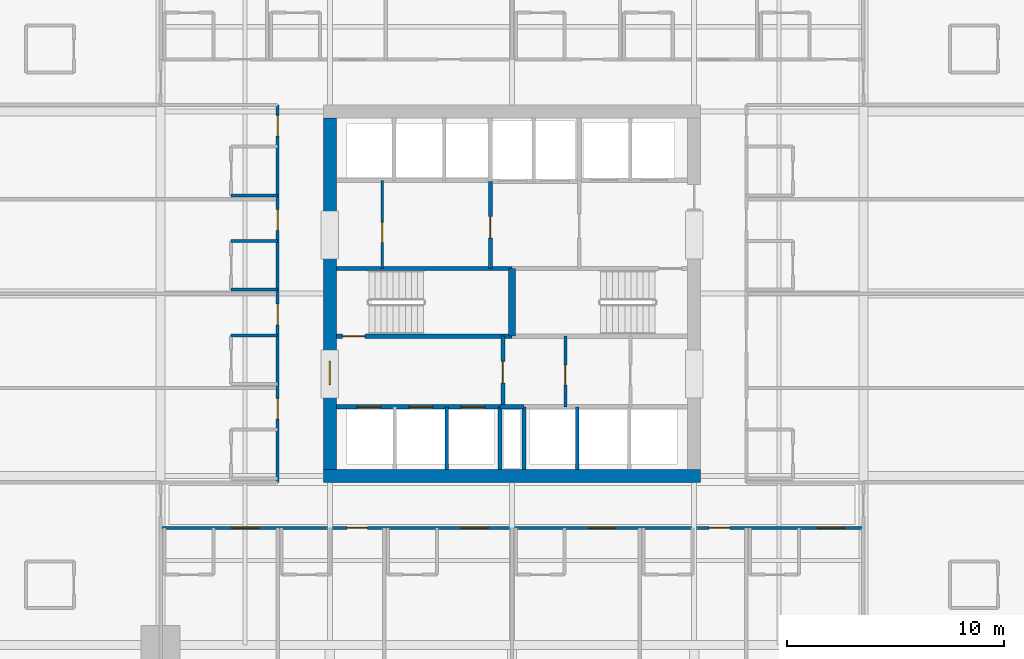
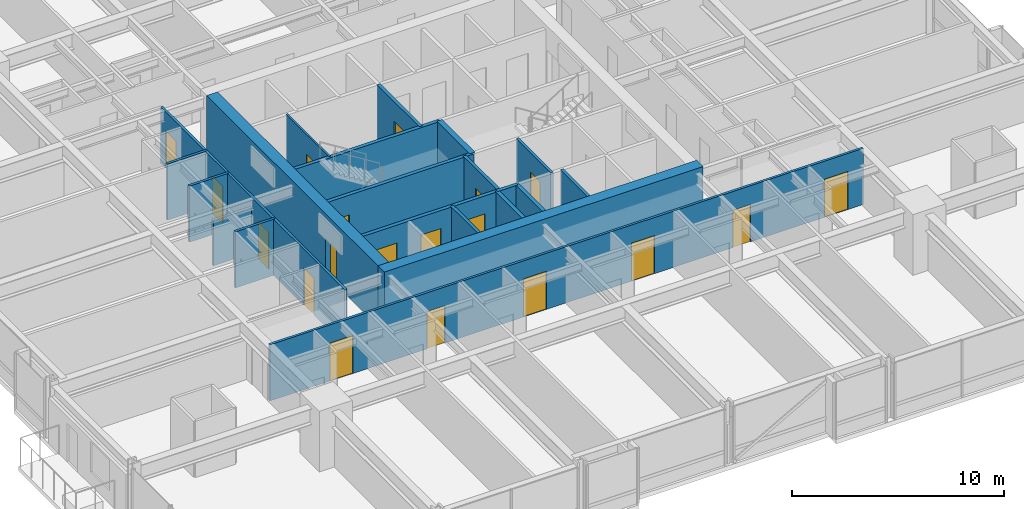
# One storey, part 31 of 39: 21 walls, 19 doors, 19 openings.
"""IFC4 building model written with IfcOpenShell, lengths in metres."""

from ifc_helpers import new_model, si_unit, direction, frame, frame_2d, origin, place, context, subcontext, project, spatial, rectangle, extrude, material, layer, layer_set, type_object, element, fill, save


model = new_model("IFC4")

# Units and contexts
model_context = context("Model", 3, precision=1e-05, world=origin(), true_north=direction((0.0, 1.0)))
body_context = subcontext(model_context, "Body", "Model", "MODEL_VIEW")
ifc_project = project(units=[si_unit("LENGTHUNIT", "METRE"), si_unit("AREAUNIT", "SQUARE_METRE"), si_unit("VOLUMEUNIT", "CUBIC_METRE"), si_unit("PLANEANGLEUNIT", "RADIAN"), si_unit("MASSUNIT", "GRAM", prefix="KILO")], contexts=[model_context])

# Site, building, storey
site_placement = place(None, origin())
site = spatial("IfcSite", under=ifc_project, at=site_placement, CompositionType="ELEMENT")
building_placement = place(site_placement, origin())
building = spatial("IfcBuilding", under=site, at=building_placement, Name="Drelvath Grand Hotel", CompositionType="ELEMENT")
storey_placement = place(building_placement, frame((0.0, 0.0, 36.699951171875)))
storey = spatial("IfcBuildingStorey", under=building, at=storey_placement, Name="L07", CompositionType="ELEMENT", Elevation=36.699951171875)

# Wall, opening, door
ifc_material_1 = material(Name="Gypsum Partition Board")
ifc_layer_1 = layer(ifc_material_1, 0.10009765625)
ifc_layer_set_1 = layer_set([ifc_layer_1], Name="Gypsum Partition Board")
wall_type_1 = type_object("IfcWallType", Name="Core Closet Partition 100", PredefinedType="PARTITIONING", material=ifc_layer_set_1)
wall_1_placement = place(storey_placement, frame((-5.97998046875, 28.159912109375, 0.0), z_axis=(0.0, 0.0, 1.0), x_axis=(0.0, 1.0, 0.0)))
wall_1 = element("IfcWall", 1, at=wall_1_placement, inside=storey, type_object=wall_type_1, Name="L07 Core Closet Divider 2", PredefinedType="PARTITIONING", context=body_context, shape_type="SweptSolid", body=[
    extrude(rectangle(XDim=4.06005859375, YDim=0.10009765625, at=frame_2d((2.030029296875, 0.0))), origin(), (0.0, 0.0, 1.0), 3.239990234375),
])
opening_1_placement = place(wall_1_placement, frame((1.199951171875, 0.0, 0.0)))
opening_1 = element("IfcOpeningElement", 2, at=opening_1_placement, cuts=wall_1, Name="Opening D-T1G1-010", PredefinedType="OPENING", context=body_context, shape_type="SweptSolid", body=[
    extrude(rectangle(XDim=0.919921875, YDim=2.10009765625, at=frame_2d((0.4599609375, 1.050048828125))), frame((0.0, 0.06005859375, 0.0), z_axis=(0.0, -1.0, 0.0), x_axis=(1.0, 0.0, 0.0)), (0.0, 0.0, 1.0), 0.1201171875),
])
ifc_material_2 = material(Name="Painted Steel S275", Category="steel")
door_type_1 = type_object("IfcDoorType", Name="Staff Utility Door 920x2100", OperationType="NOTDEFINED", PredefinedType="DOOR", material=ifc_material_2)
door_1_placement = place(opening_1_placement, origin())
door_1 = element("IfcDoor", 3, at=door_1_placement, inside=storey, type_object=door_type_1, Name="L07 Low-Voltage Closet Door", OperationType="SINGLE_SWING_RIGHT", OverallHeight=2.10009765625, OverallWidth=0.919921875, PredefinedType="DOOR", context=body_context, shape_type="SweptSolid", body=[
    extrude(rectangle(XDim=0.919921875, YDim=2.10009765625, at=frame_2d((0.4599609375, 1.050048828125))), frame((0.0, 0.02490234375, 0.0), z_axis=(0.0, -1.0, 0.0), x_axis=(1.0, 0.0, 0.0)), (0.0, 0.0, 1.0), 0.050048828125),
])
fill(opening_1, door_1)

# Wall, openings, doors
ifc_material_3 = material(Name="Concrete C40/50", Category="concrete")
ifc_layer_2 = layer(ifc_material_3, 0.199951171875)
ifc_layer_set_2 = layer_set([ifc_layer_2], Name="Concrete C40/50")
wall_type_2 = type_object("IfcWallType", Name="Core Hoistway Fire Wall 200", PredefinedType="SOLIDWALL", material=ifc_layer_set_2)
wall_2_placement = place(storey_placement, frame((-0.550048828125, 21.780029296875, 0.0), z_axis=(0.0, 0.0, 1.0), x_axis=(-1.0, 0.0, 0.0)))
wall_2 = element("IfcWall", 4, at=wall_2_placement, inside=storey, type_object=wall_type_2, Name="L07 Bank 1 Hoistway Wall", PredefinedType="SOLIDWALL", context=body_context, shape_type="SweptSolid", body=[
    extrude(rectangle(XDim=7.550048828125, YDim=0.199951171875, at=frame_2d((3.77490234375, 0.0))), origin(), (0.0, 0.0, 1.0), 3.239990234375),
])
opening_2_placement = place(wall_2_placement, frame((5.5, 0.0, 0.0)))
opening_2 = element("IfcOpeningElement", 5, at=opening_2_placement, cuts=wall_2, Name="Opening LD-PE-1", PredefinedType="OPENING", context=body_context, shape_type="SweptSolid", body=[
    extrude(rectangle(XDim=1.10009765625, YDim=2.199951171875, at=frame_2d((0.550048828125, 1.10009765625))), frame((0.0, 0.10986328125, 0.0), z_axis=(0.0, -1.0, 0.0), x_axis=(1.0, 0.0, 0.0)), (0.0, 0.0, 1.0), 0.219970703125),
])
opening_3_placement = place(wall_2_placement, frame((3.10009765625, 0.0, 0.0)))
opening_3 = element("IfcOpeningElement", 6, at=opening_3_placement, cuts=wall_2, Name="Opening LD-PE-2", PredefinedType="OPENING", context=body_context, shape_type="SweptSolid", body=[
    extrude(rectangle(XDim=1.10009765625, YDim=2.199951171875, at=frame_2d((0.550048828125, 1.10009765625))), frame((0.0, 0.10986328125, 0.0), z_axis=(0.0, -1.0, 0.0), x_axis=(1.0, 0.0, 0.0)), (0.0, 0.0, 1.0), 0.219970703125),
])
opening_4_placement = place(wall_2_placement, frame((0.699951171875, 0.0, 0.0)))
opening_4 = element("IfcOpeningElement", 7, at=opening_4_placement, cuts=wall_2, Name="Opening LD-PE-3", PredefinedType="OPENING", context=body_context, shape_type="SweptSolid", body=[
    extrude(rectangle(XDim=1.10009765625, YDim=2.199951171875, at=frame_2d((0.550048828125, 1.10009765625))), frame((0.0, 0.10986328125, 0.0), z_axis=(0.0, -1.0, 0.0), x_axis=(1.0, 0.0, 0.0)), (0.0, 0.0, 1.0), 0.219970703125),
])
ifc_material_4 = material(Name="Stainless Steel S355", Category="steel")
door_type_2 = type_object("IfcDoorType", Name="Passenger Lift Sliding Landing Door 1100x2200", OperationType="NOTDEFINED", PredefinedType="DOOR", material=ifc_material_4)
door_2_placement = place(opening_2_placement, origin())
door_2 = element("IfcDoor", 8, at=door_2_placement, inside=storey, type_object=door_type_2, Name="L07 Lift PE-1 Landing Door", OperationType="SLIDING_TO_LEFT", OverallHeight=2.199951171875, OverallWidth=1.10009765625, PredefinedType="DOOR", context=body_context, shape_type="SweptSolid", body=[
    extrude(rectangle(XDim=1.10009765625, YDim=2.199951171875, at=frame_2d((0.550048828125, 1.10009765625))), frame((0.0, 0.02490234375, 0.0), z_axis=(0.0, -1.0, 0.0), x_axis=(1.0, 0.0, 0.0)), (0.0, 0.0, 1.0), 0.050048828125),
])
fill(opening_2, door_2)
door_3_placement = place(opening_3_placement, origin())
door_3 = element("IfcDoor", 9, at=door_3_placement, inside=storey, type_object=door_type_2, Name="L07 Lift PE-2 Landing Door", OperationType="SLIDING_TO_LEFT", OverallHeight=2.199951171875, OverallWidth=1.10009765625, PredefinedType="DOOR", context=body_context, shape_type="SweptSolid", body=[
    extrude(rectangle(XDim=1.10009765625, YDim=2.199951171875, at=frame_2d((0.550048828125, 1.10009765625))), frame((0.0, 0.02490234375, 0.0), z_axis=(0.0, -1.0, 0.0), x_axis=(1.0, 0.0, 0.0)), (0.0, 0.0, 1.0), 0.050048828125),
])
fill(opening_3, door_3)
door_4_placement = place(opening_4_placement, origin())
door_4 = element("IfcDoor", 10, at=door_4_placement, inside=storey, type_object=door_type_2, Name="L07 Lift PE-3 Landing Door", OperationType="SLIDING_TO_LEFT", OverallHeight=2.199951171875, OverallWidth=1.10009765625, PredefinedType="DOOR", context=body_context, shape_type="SweptSolid", body=[
    extrude(rectangle(XDim=1.10009765625, YDim=2.199951171875, at=frame_2d((0.550048828125, 1.10009765625))), frame((0.0, 0.02490234375, 0.0), z_axis=(0.0, -1.0, 0.0), x_axis=(1.0, 0.0, 0.0)), (0.0, 0.0, 1.0), 0.050048828125),
])
fill(opening_4, door_4)

# Walls
for number, where, z_axis, x_axis, name in (
    (11, (-0.550048828125, 18.89990234375, 0.0), (0.0, 0.0, 1.0), (0.0, 1.0, 0.0), "L07 Bank 1 East Wall"),
    (12, (0.550048828125, 18.89990234375, 0.0), (0.0, 0.0, 1.0), (0.0, 1.0, 0.0), "L07 Bank 2 West Wall"),
):
    element("IfcWall", number, at=place(storey_placement, frame(where, z_axis=z_axis, x_axis=x_axis)), inside=storey, type_object=wall_type_2, Name=name, PredefinedType="SOLIDWALL", context=body_context, shape_type="SweptSolid", body=[
        extrude(rectangle(XDim=2.880126953125, YDim=0.199951171875, at=frame_2d((1.43994140625, 0.0))), origin(), (0.0, 0.0, 1.0), 3.239990234375),
    ])
wall_3_placement = place(storey_placement, frame((-0.550048828125, 21.780029296875, 0.0), z_axis=(0.0, 0.0, 1.0), x_axis=(1.0, 0.0, 0.0)))
element("IfcWall", 13, at=wall_3_placement, inside=storey, type_object=wall_type_2, Name="L07 Core Riser Wall", PredefinedType="SOLIDWALL", context=body_context, shape_type="SweptSolid", body=[
    extrude(rectangle(XDim=1.10009765625, YDim=0.199951171875, at=frame_2d((0.550048828125, 0.0))), origin(), (0.0, 0.0, 1.0), 3.239990234375),
])

# Wall, opening, door
ifc_layer_3 = layer(ifc_material_3, 0.199951171875)
ifc_layer_set_3 = layer_set([ifc_layer_3], Name="Concrete C40/50")
wall_type_3 = type_object("IfcWallType", Name="Core Shaft Fire Wall 200", PredefinedType="SOLIDWALL", material=ifc_layer_set_3)
wall_4_placement = place(storey_placement, frame((-8.10009765625, 25.0400390625, 0.0), z_axis=(0.0, 0.0, 1.0), x_axis=(1.0, 0.0, 0.0)))
wall_4 = element("IfcWall", 14, at=wall_4_placement, inside=storey, type_object=wall_type_3, Name="L07 Stair ST-1 South Wall", PredefinedType="SOLIDWALL", context=body_context, shape_type="SweptSolid", body=[
    extrude(rectangle(XDim=8.10009765625, YDim=0.199951171875, at=frame_2d((4.050048828125, 0.0))), origin(), (0.0, 0.0, 1.0), 3.239990234375),
])
opening_5_placement = place(wall_4_placement, frame((0.280029296875, 0.0, 0.0)))
opening_5 = element("IfcOpeningElement", 15, at=opening_5_placement, cuts=wall_4, Name="Opening D-T1G1-001", PredefinedType="OPENING", context=body_context, shape_type="SweptSolid", body=[
    extrude(rectangle(XDim=1.050048828125, YDim=2.10009765625, at=frame_2d((0.52490234375, 1.050048828125))), frame((0.0, 0.10986328125, 0.0), z_axis=(0.0, -1.0, 0.0), x_axis=(1.0, 0.0, 0.0)), (0.0, 0.0, 1.0), 0.219970703125),
])
door_type_3 = type_object("IfcDoorType", Name="Tower Stairwell Fire Door 1050x2100", OperationType="NOTDEFINED", PredefinedType="DOOR", material=ifc_material_2)
door_5_placement = place(opening_5_placement, origin())
door_5 = element("IfcDoor", 16, at=door_5_placement, inside=storey, type_object=door_type_3, Name="L07 Exit Stair ST-1 Door", OperationType="SINGLE_SWING_LEFT", OverallHeight=2.10009765625, OverallWidth=1.050048828125, PredefinedType="DOOR", context=body_context, shape_type="SweptSolid", body=[
    extrude(rectangle(XDim=1.050048828125, YDim=2.10009765625, at=frame_2d((0.52490234375, 1.050048828125))), frame((0.0, 0.02490234375, 0.0), z_axis=(0.0, -1.0, 0.0), x_axis=(1.0, 0.0, 0.0)), (0.0, 0.0, 1.0), 0.050048828125),
])
fill(opening_5, door_5)

# Walls
wall_5_placement = place(storey_placement, frame((-8.10009765625, 28.159912109375, 0.0), z_axis=(0.0, 0.0, 1.0), x_axis=(1.0, 0.0, 0.0)))
element("IfcWall", 17, at=wall_5_placement, inside=storey, type_object=wall_type_3, Name="L07 Stair ST-1 North Wall", PredefinedType="SOLIDWALL", context=body_context, shape_type="SweptSolid", body=[
    extrude(rectangle(XDim=8.10009765625, YDim=0.199951171875, at=frame_2d((4.050048828125, 0.0))), origin(), (0.0, 0.0, 1.0), 3.239990234375),
])
ifc_layer_4 = layer(ifc_material_3, 0.300048828125)
ifc_layer_set_4 = layer_set([ifc_layer_4], Name="Concrete C40/50")
wall_type_4 = type_object("IfcWallType", Name="Core Shaft Fire Wall 300", PredefinedType="SOLIDWALL", material=ifc_layer_set_4)
wall_6_placement = place(storey_placement, frame((0.0, 25.0400390625, 0.0), z_axis=(0.0, 0.0, 1.0), x_axis=(0.0, 1.0, 0.0)))
element("IfcWall", 18, at=wall_6_placement, inside=storey, type_object=wall_type_4, Name="L07 Core Stair Divider Wall", PredefinedType="SOLIDWALL", context=body_context, shape_type="SweptSolid", body=[
    extrude(rectangle(XDim=3.119873046875, YDim=0.300048828125, at=frame_2d((1.56005859375, 0.0))), origin(), (0.0, 0.0, 1.0), 3.239990234375),
])
ifc_material_5 = material(Name="Gypsum Fireboard Partition")
ifc_layer_5 = layer(ifc_material_5, 0.1650390625)
ifc_layer_set_5 = layer_set([ifc_layer_5], Name="Gypsum Fireboard Partition")
wall_type_5 = type_object("IfcWallType", Name="Core Shaft Partition 165", PredefinedType="PARTITIONING", material=ifc_layer_set_5)
for number, where, z_axis, x_axis, name in (
    (19, (-3.0, 18.89990234375, 0.0), (0.0, 0.0, 1.0), (0.0, 1.0, 0.0), "L07 Lift PE-2/3 Divider"),
    (20, (3.0, 18.89990234375, 0.0), (0.0, 0.0, 1.0), (0.0, 1.0, 0.0), "L07 Lift PE-4/5 Divider"),
):
    element("IfcWall", number, at=place(storey_placement, frame(where, z_axis=z_axis, x_axis=x_axis)), inside=storey, type_object=wall_type_5, Name=name, PredefinedType="PARTITIONING", context=body_context, shape_type="SweptSolid", body=[
        extrude(rectangle(XDim=2.880126953125, YDim=0.1650390625, at=frame_2d((1.43994140625, 0.0))), origin(), (0.0, 0.0, 1.0), 3.239990234375),
    ])

# Wall, openings, doors
ifc_layer_6 = layer(ifc_material_5, 0.135009765625)
ifc_layer_set_6 = layer_set([ifc_layer_6], Name="Gypsum Fireboard Partition")
wall_type_6 = type_object("IfcWallType", Name="Corridor Fire Barrier Wall 135", PredefinedType="PARTITIONING", material=ifc_layer_set_6)
wall_7_placement = place(storey_placement, frame((-16.199951171875, 16.199951171875, 0.0), z_axis=(0.0, 0.0, 1.0), x_axis=(1.0, 0.0, 0.0)))
wall_7 = element("IfcWall", 21, at=wall_7_placement, inside=storey, type_object=wall_type_6, Name="L07 South Corridor Wall", PredefinedType="PARTITIONING", context=body_context, shape_type="SweptSolid", body=[
    extrude(rectangle(XDim=32.39990234375, YDim=0.135009765625, at=frame_2d((16.199951171875, 0.0))), origin(), (0.0, 0.0, 1.0), 3.239990234375),
])
opening_6_placement = place(wall_7_placement, frame((3.284912109375, 0.0, 0.0)))
opening_6 = element("IfcOpeningElement", 22, at=opening_6_placement, cuts=wall_7, Name="Opening D-T1G1-027", PredefinedType="OPENING", context=body_context, shape_type="SweptSolid", body=[
    extrude(rectangle(XDim=1.260009765625, YDim=2.199951171875, at=frame_2d((0.6298828125, 1.10009765625))), frame((0.0, 0.077392578125, 0.0), z_axis=(0.0, -1.0, 0.0), x_axis=(1.0, 0.0, 0.0)), (0.0, 0.0, 1.0), 0.155029296875),
])
opening_7_placement = place(wall_7_placement, frame((8.589599609375, 0.0, 0.0)))
opening_7 = element("IfcOpeningElement", 23, at=opening_7_placement, cuts=wall_7, Name="Opening D-T1G1-029", PredefinedType="OPENING", context=body_context, shape_type="SweptSolid", body=[
    extrude(rectangle(XDim=0.9599609375, YDim=2.14990234375, at=frame_2d((0.47998046875, 1.074951171875))), frame((0.0, 0.077392578125, 0.0), z_axis=(0.0, -1.0, 0.0), x_axis=(1.0, 0.0, 0.0)), (0.0, 0.0, 1.0), 0.155029296875),
])
opening_8_placement = place(wall_7_placement, frame((13.839599609375, 0.0, 0.0)))
opening_8 = element("IfcOpeningElement", 24, at=opening_8_placement, cuts=wall_7, Name="Opening D-T1G1-031", PredefinedType="OPENING", context=body_context, shape_type="SweptSolid", body=[
    extrude(rectangle(XDim=1.260009765625, YDim=2.199951171875, at=frame_2d((0.6298828125, 1.10009765625))), frame((0.0, 0.077392578125, 0.0), z_axis=(0.0, -1.0, 0.0), x_axis=(1.0, 0.0, 0.0)), (0.0, 0.0, 1.0), 0.155029296875),
])
opening_9_placement = place(wall_7_placement, frame((19.73046875, 0.0, 0.0)))
opening_9 = element("IfcOpeningElement", 25, at=opening_9_placement, cuts=wall_7, Name="Opening D-T1G1-033", PredefinedType="OPENING", context=body_context, shape_type="SweptSolid", body=[
    extrude(rectangle(XDim=1.260009765625, YDim=2.199951171875, at=frame_2d((0.6298828125, 1.10009765625))), frame((0.0, 0.077392578125, 0.0), z_axis=(0.0, -1.0, 0.0), x_axis=(1.0, 0.0, 0.0)), (0.0, 0.0, 1.0), 0.155029296875),
])
opening_10_placement = place(wall_7_placement, frame((25.280517578125, 0.0, 0.0)))
opening_10 = element("IfcOpeningElement", 26, at=opening_10_placement, cuts=wall_7, Name="Opening D-T1G1-035", PredefinedType="OPENING", context=body_context, shape_type="SweptSolid", body=[
    extrude(rectangle(XDim=0.9599609375, YDim=2.14990234375, at=frame_2d((0.47998046875, 1.074951171875))), frame((0.0, 0.077392578125, 0.0), z_axis=(0.0, -1.0, 0.0), x_axis=(1.0, 0.0, 0.0)), (0.0, 0.0, 1.0), 0.155029296875),
])
opening_11_placement = place(wall_7_placement, frame((30.284912109375, 0.0, 0.0)))
opening_11 = element("IfcOpeningElement", 27, at=opening_11_placement, cuts=wall_7, Name="Opening D-T1G1-037", PredefinedType="OPENING", context=body_context, shape_type="SweptSolid", body=[
    extrude(rectangle(XDim=1.260009765625, YDim=2.199951171875, at=frame_2d((0.6298828125, 1.10009765625))), frame((0.0, 0.077392578125, 0.0), z_axis=(0.0, -1.0, 0.0), x_axis=(1.0, 0.0, 0.0)), (0.0, 0.0, 1.0), 0.155029296875),
])
ifc_material_6 = material(Name="Hardwood Walnut Timber", Category="wood")
door_type_4 = type_object("IfcDoorType", Name="Guestroom Entrance Fire Door 960x2150", OperationType="NOTDEFINED", PredefinedType="DOOR", material=ifc_material_6)
door_6_placement = place(opening_7_placement, origin())
door_6 = element("IfcDoor", 28, at=door_6_placement, inside=storey, type_object=door_type_4, Name="L07 King Guest Room Entry Door", OperationType="SINGLE_SWING_RIGHT", OverallHeight=2.14990234375, OverallWidth=0.9599609375, PredefinedType="DOOR", context=body_context, shape_type="SweptSolid", body=[
    extrude(rectangle(XDim=0.9599609375, YDim=2.14990234375, at=frame_2d((0.47998046875, 1.074951171875))), frame((0.0, 0.02490234375, 0.0), z_axis=(0.0, -1.0, 0.0), x_axis=(1.0, 0.0, 0.0)), (0.0, 0.0, 1.0), 0.050048828125),
])
fill(opening_7, door_6)
door_7_placement = place(opening_10_placement, origin())
door_7 = element("IfcDoor", 29, at=door_7_placement, inside=storey, type_object=door_type_4, Name="L07 King Guest Room Entry Door", OperationType="SINGLE_SWING_RIGHT", OverallHeight=2.14990234375, OverallWidth=0.9599609375, PredefinedType="DOOR", context=body_context, shape_type="SweptSolid", body=[
    extrude(rectangle(XDim=0.9599609375, YDim=2.14990234375, at=frame_2d((0.47998046875, 1.074951171875))), frame((0.0, 0.02490234375, 0.0), z_axis=(0.0, -1.0, 0.0), x_axis=(1.0, 0.0, 0.0)), (0.0, 0.0, 1.0), 0.050048828125),
])
fill(opening_10, door_7)
door_type_5 = type_object("IfcDoorType", Name="Suite Entrance Fire Door 1260x2200", OperationType="NOTDEFINED", PredefinedType="DOOR", material=ifc_material_6)
door_8_placement = place(opening_6_placement, origin())
door_8 = element("IfcDoor", 30, at=door_8_placement, inside=storey, type_object=door_type_5, Name="L07 Corner Suite Entry Door", OperationType="SINGLE_SWING_RIGHT", OverallHeight=2.199951171875, OverallWidth=1.260009765625, PredefinedType="DOOR", context=body_context, shape_type="SweptSolid", body=[
    extrude(rectangle(XDim=1.260009765625, YDim=2.199951171875, at=frame_2d((0.6298828125, 1.10009765625))), frame((0.0, 0.02490234375, 0.0), z_axis=(0.0, -1.0, 0.0), x_axis=(1.0, 0.0, 0.0)), (0.0, 0.0, 1.0), 0.050048828125),
])
fill(opening_6, door_8)
door_9_placement = place(opening_8_placement, origin())
door_9 = element("IfcDoor", 31, at=door_9_placement, inside=storey, type_object=door_type_5, Name="L07 Corner Suite Entry Door", OperationType="SINGLE_SWING_RIGHT", OverallHeight=2.199951171875, OverallWidth=1.260009765625, PredefinedType="DOOR", context=body_context, shape_type="SweptSolid", body=[
    extrude(rectangle(XDim=1.260009765625, YDim=2.199951171875, at=frame_2d((0.6298828125, 1.10009765625))), frame((0.0, 0.02490234375, 0.0), z_axis=(0.0, -1.0, 0.0), x_axis=(1.0, 0.0, 0.0)), (0.0, 0.0, 1.0), 0.050048828125),
])
fill(opening_8, door_9)
door_10_placement = place(opening_9_placement, origin())
door_10 = element("IfcDoor", 32, at=door_10_placement, inside=storey, type_object=door_type_5, Name="L07 Corner Suite Entry Door", OperationType="SINGLE_SWING_RIGHT", OverallHeight=2.199951171875, OverallWidth=1.260009765625, PredefinedType="DOOR", context=body_context, shape_type="SweptSolid", body=[
    extrude(rectangle(XDim=1.260009765625, YDim=2.199951171875, at=frame_2d((0.6298828125, 1.10009765625))), frame((0.0, 0.02490234375, 0.0), z_axis=(0.0, -1.0, 0.0), x_axis=(1.0, 0.0, 0.0)), (0.0, 0.0, 1.0), 0.050048828125),
])
fill(opening_9, door_10)
door_11_placement = place(opening_11_placement, origin())
door_11 = element("IfcDoor", 33, at=door_11_placement, inside=storey, type_object=door_type_5, Name="L07 Corner Suite Entry Door", OperationType="SINGLE_SWING_RIGHT", OverallHeight=2.199951171875, OverallWidth=1.260009765625, PredefinedType="DOOR", context=body_context, shape_type="SweptSolid", body=[
    extrude(rectangle(XDim=1.260009765625, YDim=2.199951171875, at=frame_2d((0.6298828125, 1.10009765625))), frame((0.0, 0.02490234375, 0.0), z_axis=(0.0, -1.0, 0.0), x_axis=(1.0, 0.0, 0.0)), (0.0, 0.0, 1.0), 0.050048828125),
])
fill(opening_11, door_11)

wall_8_placement = place(storey_placement, frame((-10.800048828125, 18.300048828125, 0.0), z_axis=(0.0, 0.0, 1.0), x_axis=(0.0, 1.0, 0.0)))
wall_8 = element("IfcWall", 34, at=wall_8_placement, inside=storey, type_object=wall_type_6, Name="L07 West Corridor Wall", PredefinedType="PARTITIONING", context=body_context, shape_type="SweptSolid", body=[
    extrude(rectangle(XDim=17.39990234375, YDim=0.135009765625, at=frame_2d((8.699951171875, 0.0))), origin(), (0.0, 0.0, 1.0), 3.239990234375),
])
opening_12_placement = place(wall_8_placement, frame((2.909912109375, 0.0, 0.0)))
opening_12 = element("IfcOpeningElement", 35, at=opening_12_placement, cuts=wall_8, Name="Opening D-T1G1-050", PredefinedType="OPENING", context=body_context, shape_type="SweptSolid", body=[
    extrude(rectangle(XDim=0.9599609375, YDim=2.14990234375, at=frame_2d((0.47998046875, 1.074951171875))), frame((0.0, 0.077392578125, 0.0), z_axis=(0.0, -1.0, 0.0), x_axis=(1.0, 0.0, 0.0)), (0.0, 0.0, 1.0), 0.155029296875),
])
opening_13_placement = place(wall_8_placement, frame((7.260009765625, 0.0, 0.0)))
opening_13 = element("IfcOpeningElement", 36, at=opening_13_placement, cuts=wall_8, Name="Opening D-T1G1-052", PredefinedType="OPENING", context=body_context, shape_type="SweptSolid", body=[
    extrude(rectangle(XDim=0.9599609375, YDim=2.14990234375, at=frame_2d((0.47998046875, 1.074951171875))), frame((0.0, 0.077392578125, 0.0), z_axis=(0.0, -1.0, 0.0), x_axis=(1.0, 0.0, 0.0)), (0.0, 0.0, 1.0), 0.155029296875),
])
opening_14_placement = place(wall_8_placement, frame((11.610107421875, 0.0, 0.0)))
opening_14 = element("IfcOpeningElement", 37, at=opening_14_placement, cuts=wall_8, Name="Opening D-T1G1-054", PredefinedType="OPENING", context=body_context, shape_type="SweptSolid", body=[
    extrude(rectangle(XDim=0.9599609375, YDim=2.14990234375, at=frame_2d((0.47998046875, 1.074951171875))), frame((0.0, 0.077392578125, 0.0), z_axis=(0.0, -1.0, 0.0), x_axis=(1.0, 0.0, 0.0)), (0.0, 0.0, 1.0), 0.155029296875),
])
opening_15_placement = place(wall_8_placement, frame((15.9599609375, 0.0, 0.0)))
opening_15 = element("IfcOpeningElement", 38, at=opening_15_placement, cuts=wall_8, Name="Opening D-T1G1-056", PredefinedType="OPENING", context=body_context, shape_type="SweptSolid", body=[
    extrude(rectangle(XDim=0.9599609375, YDim=2.14990234375, at=frame_2d((0.47998046875, 1.074951171875))), frame((0.0, 0.077392578125, 0.0), z_axis=(0.0, -1.0, 0.0), x_axis=(1.0, 0.0, 0.0)), (0.0, 0.0, 1.0), 0.155029296875),
])
door_12_placement = place(opening_12_placement, origin())
door_12 = element("IfcDoor", 39, at=door_12_placement, inside=storey, type_object=door_type_4, Name="L07 King Guest Room Entry Door", OperationType="SINGLE_SWING_LEFT", OverallHeight=2.14990234375, OverallWidth=0.9599609375, PredefinedType="DOOR", context=body_context, shape_type="SweptSolid", body=[
    extrude(rectangle(XDim=0.9599609375, YDim=2.14990234375, at=frame_2d((0.47998046875, 1.074951171875))), frame((0.0, 0.02490234375, 0.0), z_axis=(0.0, -1.0, 0.0), x_axis=(1.0, 0.0, 0.0)), (0.0, 0.0, 1.0), 0.050048828125),
])
fill(opening_12, door_12)
door_13_placement = place(opening_13_placement, origin())
door_13 = element("IfcDoor", 40, at=door_13_placement, inside=storey, type_object=door_type_4, Name="L07 King Guest Room Entry Door", OperationType="SINGLE_SWING_LEFT", OverallHeight=2.14990234375, OverallWidth=0.9599609375, PredefinedType="DOOR", context=body_context, shape_type="SweptSolid", body=[
    extrude(rectangle(XDim=0.9599609375, YDim=2.14990234375, at=frame_2d((0.47998046875, 1.074951171875))), frame((0.0, 0.02490234375, 0.0), z_axis=(0.0, -1.0, 0.0), x_axis=(1.0, 0.0, 0.0)), (0.0, 0.0, 1.0), 0.050048828125),
])
fill(opening_13, door_13)
door_14_placement = place(opening_14_placement, origin())
door_14 = element("IfcDoor", 41, at=door_14_placement, inside=storey, type_object=door_type_4, Name="L07 King Guest Room Entry Door", OperationType="SINGLE_SWING_LEFT", OverallHeight=2.14990234375, OverallWidth=0.9599609375, PredefinedType="DOOR", context=body_context, shape_type="SweptSolid", body=[
    extrude(rectangle(XDim=0.9599609375, YDim=2.14990234375, at=frame_2d((0.47998046875, 1.074951171875))), frame((0.0, 0.02490234375, 0.0), z_axis=(0.0, -1.0, 0.0), x_axis=(1.0, 0.0, 0.0)), (0.0, 0.0, 1.0), 0.050048828125),
])
fill(opening_14, door_14)
door_15_placement = place(opening_15_placement, origin())
door_15 = element("IfcDoor", 42, at=door_15_placement, inside=storey, type_object=door_type_4, Name="L07 King Guest Room Entry Door", OperationType="SINGLE_SWING_LEFT", OverallHeight=2.14990234375, OverallWidth=0.9599609375, PredefinedType="DOOR", context=body_context, shape_type="SweptSolid", body=[
    extrude(rectangle(XDim=0.9599609375, YDim=2.14990234375, at=frame_2d((0.47998046875, 1.074951171875))), frame((0.0, 0.02490234375, 0.0), z_axis=(0.0, -1.0, 0.0), x_axis=(1.0, 0.0, 0.0)), (0.0, 0.0, 1.0), 0.050048828125),
])
fill(opening_15, door_15)

# Wall, opening, door
ifc_material_7 = material(Name="Moisture-Resistant Gypsum Board")
ifc_layer_7 = layer(ifc_material_7, 0.139892578125)
ifc_layer_set_7 = layer_set([ifc_layer_7], Name="Moisture-Resistant Gypsum Board")
wall_type_7 = type_object("IfcWallType", Name="En-Suite Plumbing Wall 140", PredefinedType="PLUMBINGWALL", material=ifc_layer_set_7)
wall_9_placement = place(storey_placement, frame((2.4599609375, 21.780029296875, 0.0), z_axis=(0.0, 0.0, 1.0), x_axis=(0.0, 1.0, 0.0)))
wall_9 = element("IfcWall", 43, at=wall_9_placement, inside=storey, type_object=wall_type_7, Name="L07 Staff WC West Wall", PredefinedType="PLUMBINGWALL", context=body_context, shape_type="SweptSolid", body=[
    extrude(rectangle(XDim=3.260009765625, YDim=0.139892578125, at=frame_2d((1.6298828125, 0.0))), origin(), (0.0, 0.0, 1.0), 3.239990234375),
])
opening_16_placement = place(wall_9_placement, frame((1.0, 0.0, 0.0)))
opening_16 = element("IfcOpeningElement", 44, at=opening_16_placement, cuts=wall_9, Name="Opening D-T1G1-016", PredefinedType="OPENING", context=body_context, shape_type="SweptSolid", body=[
    extrude(rectangle(XDim=0.919921875, YDim=2.10009765625, at=frame_2d((0.4599609375, 1.050048828125))), frame((0.0, 0.079833984375, 0.0), z_axis=(0.0, -1.0, 0.0), x_axis=(1.0, 0.0, 0.0)), (0.0, 0.0, 1.0), 0.159912109375),
])
door_16_placement = place(opening_16_placement, origin())
door_16 = element("IfcDoor", 45, at=door_16_placement, inside=storey, type_object=door_type_1, Name="L07 Staff WC Door", OperationType="SINGLE_SWING_LEFT", OverallHeight=2.10009765625, OverallWidth=0.919921875, PredefinedType="DOOR", context=body_context, shape_type="SweptSolid", body=[
    extrude(rectangle(XDim=0.919921875, YDim=2.10009765625, at=frame_2d((0.4599609375, 1.050048828125))), frame((0.0, 0.02490234375, 0.0), z_axis=(0.0, -1.0, 0.0), x_axis=(1.0, 0.0, 0.0)), (0.0, 0.0, 1.0), 0.050048828125),
])
fill(opening_16, door_16)

# Walls
wall_10_placement = place(storey_placement, frame((-10.800048828125, 25.080078125, 0.0), z_axis=(0.0, 0.0, 1.0), x_axis=(-1.0, 0.0, 0.0)))
element("IfcWall", 46, at=wall_10_placement, inside=storey, type_object=wall_type_7, Name="L07 En-Suite Right Wall", PredefinedType="PLUMBINGWALL", context=body_context, shape_type="SweptSolid", body=[
    extrude(rectangle(XDim=2.14990234375, YDim=0.139892578125, at=frame_2d((1.074951171875, 0.0))), origin(), (0.0, 0.0, 1.0), 3.239990234375),
])
wall_11_placement = place(storey_placement, frame((-10.800048828125, 27.179931640625, 0.0), z_axis=(0.0, 0.0, 1.0), x_axis=(-1.0, 0.0, 0.0)))
element("IfcWall", 47, at=wall_11_placement, inside=storey, type_object=wall_type_7, Name="L07 En-Suite Left Wall", PredefinedType="PLUMBINGWALL", context=body_context, shape_type="SweptSolid", body=[
    extrude(rectangle(XDim=2.14990234375, YDim=0.139892578125, at=frame_2d((1.074951171875, 0.0))), origin(), (0.0, 0.0, 1.0), 2.617431640625),
])
for number, where, z_axis, x_axis, name in (
    (48, (-10.800048828125, 29.429931640625, 0.0), (0.0, 0.0, 1.0), (-1.0, 0.0, 0.0), "L07 En-Suite Right Wall"),
    (49, (-10.800048828125, 31.530029296875, 0.0), (0.0, 0.0, 1.0), (-1.0, 0.0, 0.0), "L07 En-Suite Left Wall"),
):
    element("IfcWall", number, at=place(storey_placement, frame(where, z_axis=z_axis, x_axis=x_axis)), inside=storey, type_object=wall_type_7, Name=name, PredefinedType="PLUMBINGWALL", context=body_context, shape_type="SweptSolid", body=[
        extrude(rectangle(XDim=2.14990234375, YDim=0.139892578125, at=frame_2d((1.074951171875, 0.0))), origin(), (0.0, 0.0, 1.0), 3.239990234375),
    ])

# Wall, opening, door
ifc_layer_8 = layer(ifc_material_5, 0.179931640625)
ifc_layer_set_8 = layer_set([ifc_layer_8], Name="Gypsum Fireboard Partition")
wall_type_8 = type_object("IfcWallType", Name="FSAE Smoke Lobby Fire Wall 180", PredefinedType="SOLIDWALL", material=ifc_layer_set_8)
wall_12_placement = place(storey_placement, frame((-1.0, 28.159912109375, 0.0), z_axis=(0.0, 0.0, 1.0), x_axis=(0.0, 1.0, 0.0)))
wall_12 = element("IfcWall", 50, at=wall_12_placement, inside=storey, type_object=wall_type_8, Name="L07 Service Vestibule West Wall", PredefinedType="SOLIDWALL", context=body_context, shape_type="SweptSolid", body=[
    extrude(rectangle(XDim=4.02001953125, YDim=0.179931640625, at=frame_2d((2.010009765625, 0.0))), origin(), (0.0, 0.0, 1.0), 3.239990234375),
])
opening_17_placement = place(wall_12_placement, frame((1.39990234375, 0.0, 0.0)))
opening_17 = element("IfcOpeningElement", 51, at=opening_17_placement, cuts=wall_12, Name="Opening D-T1G1-009", PredefinedType="OPENING", context=body_context, shape_type="SweptSolid", body=[
    extrude(rectangle(XDim=1.0, YDim=2.10009765625, at=frame_2d((0.5, 1.050048828125))), frame((0.0, 0.099853515625, 0.0), z_axis=(0.0, -1.0, 0.0), x_axis=(1.0, 0.0, 0.0)), (0.0, 0.0, 1.0), 0.199951171875),
])
door_type_6 = type_object("IfcDoorType", Name="Core Service Fire Door 1000x2100", OperationType="NOTDEFINED", PredefinedType="DOOR", material=ifc_material_2)
door_17_placement = place(opening_17_placement, origin())
door_17 = element("IfcDoor", 52, at=door_17_placement, inside=storey, type_object=door_type_6, Name="L07 Service Vestibule West Door", OperationType="SINGLE_SWING_LEFT", OverallHeight=2.10009765625, OverallWidth=1.0, PredefinedType="DOOR", context=body_context, shape_type="SweptSolid", body=[
    extrude(rectangle(XDim=1.0, YDim=2.10009765625, at=frame_2d((0.5, 1.050048828125))), frame((0.0, 0.02490234375, 0.0), z_axis=(0.0, -1.0, 0.0), x_axis=(1.0, 0.0, 0.0)), (0.0, 0.0, 1.0), 0.050048828125),
])
fill(opening_17, door_17)

wall_13_placement = place(storey_placement, frame((-0.419921875, 21.780029296875, 0.0), z_axis=(0.0, 0.0, 1.0), x_axis=(0.0, 1.0, 0.0)))
wall_13 = element("IfcWall", 53, at=wall_13_placement, inside=storey, type_object=wall_type_8, Name="L07 Low-Rise Lobby East Wall", PredefinedType="SOLIDWALL", context=body_context, shape_type="SweptSolid", body=[
    extrude(rectangle(XDim=3.260009765625, YDim=0.179931640625, at=frame_2d((1.6298828125, 0.0))), origin(), (0.0, 0.0, 1.0), 3.239990234375),
])
opening_18_placement = place(wall_13_placement, frame((1.10009765625, 0.0, 0.0)))
opening_18 = element("IfcOpeningElement", 54, at=opening_18_placement, cuts=wall_13, Name="Opening D-T1G1-014", PredefinedType="OPENING", context=body_context, shape_type="SweptSolid", body=[
    extrude(rectangle(XDim=1.0, YDim=2.10009765625, at=frame_2d((0.5, 1.050048828125))), frame((0.0, 0.099853515625, 0.0), z_axis=(0.0, -1.0, 0.0), x_axis=(1.0, 0.0, 0.0)), (0.0, 0.0, 1.0), 0.199951171875),
])
door_18_placement = place(opening_18_placement, origin())
door_18 = element("IfcDoor", 55, at=door_18_placement, inside=storey, type_object=door_type_6, Name="L07 Housekeeping Entry Door", OperationType="SINGLE_SWING_LEFT", OverallHeight=2.10009765625, OverallWidth=1.0, PredefinedType="DOOR", context=body_context, shape_type="SweptSolid", body=[
    extrude(rectangle(XDim=1.0, YDim=2.10009765625, at=frame_2d((0.5, 1.050048828125))), frame((0.0, 0.02490234375, 0.0), z_axis=(0.0, -1.0, 0.0), x_axis=(1.0, 0.0, 0.0)), (0.0, 0.0, 1.0), 0.050048828125),
])
fill(opening_18, door_18)

# Wall
ifc_material_8 = material(Name="Concrete f'c 70 MPa", Category="concrete")
ifc_layer_9 = layer(ifc_material_8, 0.60009765625)
ifc_layer_set_9 = layer_set([ifc_layer_9], Name="Concrete f'c 70 MPa")
wall_type_9 = type_object("IfcWallType", Name="Lower Core RC Shear Wall 600", PredefinedType="SHEAR", material=ifc_layer_set_9)
wall_14_placement = place(storey_placement, frame((8.699951171875, 18.60009765625, 0.0), z_axis=(0.0, 0.0, 1.0), x_axis=(-1.0, 0.0, 0.0)))
element("IfcWall", 56, at=wall_14_placement, inside=storey, type_object=wall_type_9, Name="L07 Central Core Shear Wall S", PredefinedType="SHEAR", context=body_context, shape_type="SweptSolid", body=[
    extrude(rectangle(XDim=17.39990234375, YDim=0.60009765625, at=frame_2d((8.699951171875, 0.0))), origin(), (0.0, 0.0, 1.0), 3.5),
])

# Wall, opening, door
wall_15_placement = place(storey_placement, frame((-8.39990234375, 18.89990234375, 0.0), z_axis=(0.0, 0.0, 1.0), x_axis=(0.0, 1.0, 0.0)))
wall_15 = element("IfcWall", 57, at=wall_15_placement, inside=storey, type_object=wall_type_9, Name="L07 Central Core Shear Wall W", PredefinedType="SHEAR", context=body_context, shape_type="SweptSolid", body=[
    extrude(rectangle(XDim=16.2001953125, YDim=0.60009765625, at=frame_2d((8.10009765625, 0.0))), origin(), (0.0, 0.0, 1.0), 3.5),
])
opening_19_placement = place(wall_15_placement, frame((3.89990234375, 0.0, 0.0)))
opening_19 = element("IfcOpeningElement", 58, at=opening_19_placement, cuts=wall_15, Name="Opening D-T1G1-015", PredefinedType="OPENING", context=body_context, shape_type="SweptSolid", body=[
    extrude(rectangle(XDim=1.080078125, YDim=2.0400390625, at=frame_2d((0.5400390625, 1.02001953125))), frame((0.0, 0.31005859375, 0.0), z_axis=(0.0, -1.0, 0.0), x_axis=(1.0, 0.0, 0.0)), (0.0, 0.0, 1.0), 0.6201171875),
])
door_type_7 = type_object("IfcDoorType", Name="Core Corridor Fire Door 1080x2100", OperationType="NOTDEFINED", PredefinedType="DOOR", material=ifc_material_2)
door_19_placement = place(opening_19_placement, origin())
door_19 = element("IfcDoor", 59, at=door_19_placement, inside=storey, type_object=door_type_7, Name="L07 Low-Rise Lobby West Door", OperationType="SINGLE_SWING_RIGHT", OverallHeight=2.0400390625, OverallWidth=1.080078125, PredefinedType="DOOR", context=body_context, shape_type="SweptSolid", body=[
    extrude(rectangle(XDim=1.080078125, YDim=2.0400390625, at=frame_2d((0.5400390625, 1.02001953125))), frame((0.0, 0.02490234375, 0.0), z_axis=(0.0, -1.0, 0.0), x_axis=(1.0, 0.0, 0.0)), (0.0, 0.0, 1.0), 0.050048828125),
])
fill(opening_19, door_19)

save(model, "model.ifc")
